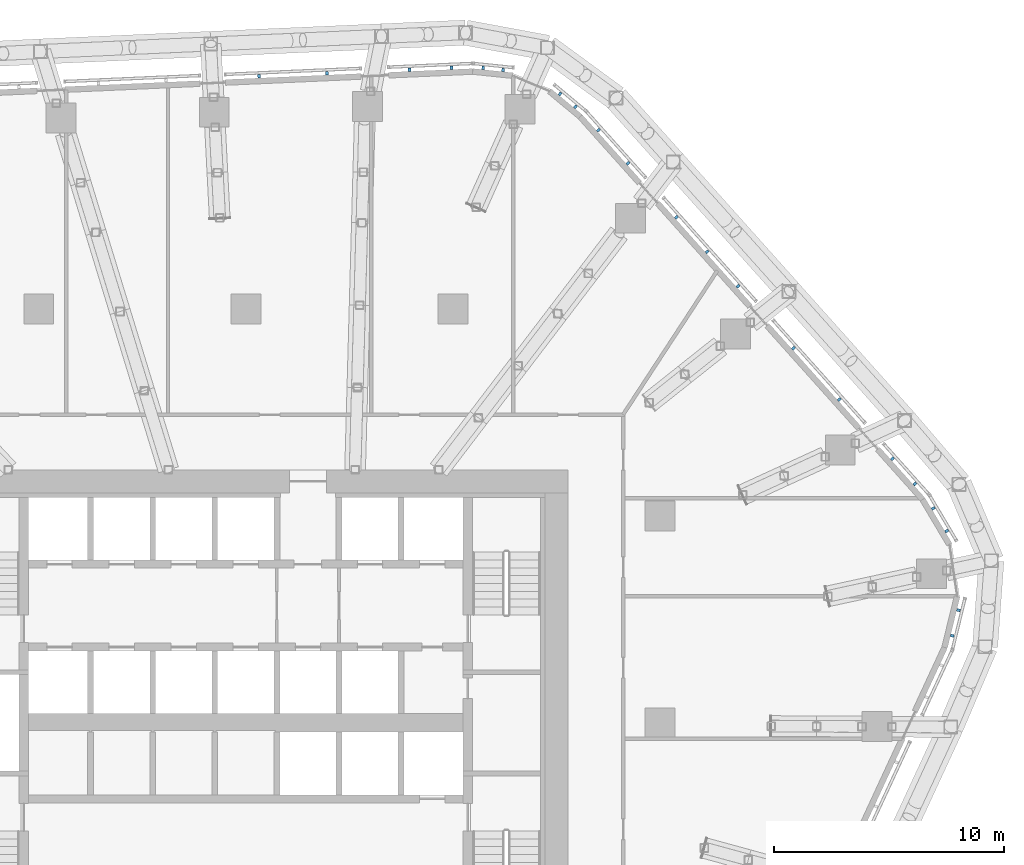
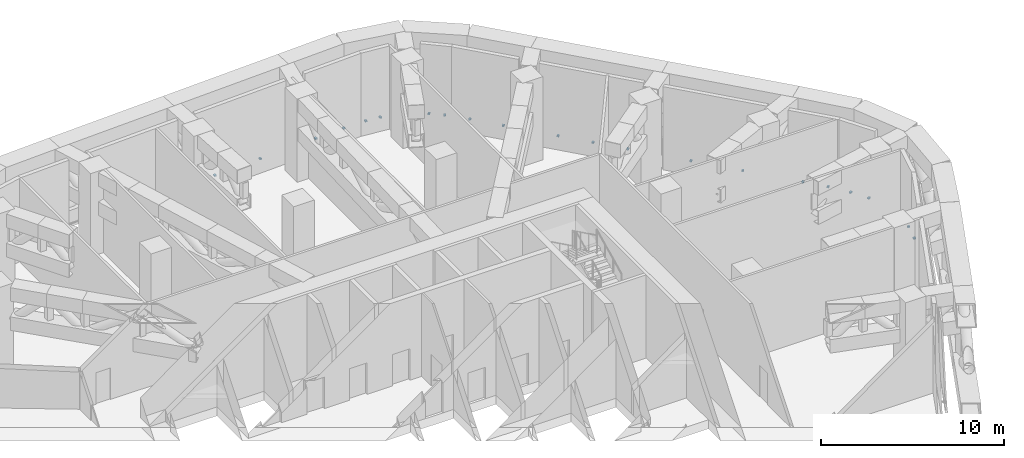
# One storey, part 24 of 30: 21 discrete accessories, 4 elements without a shape of their own.
"""IFC4 building model written with IfcOpenShell, lengths in metres."""

from ifc_helpers import new_model, si_unit, direction, frame, origin, origin_2d, place, context, subcontext, project, spatial, rectangle, extrude, material, layer, layer_set, type_object, element, aggregate, save


model = new_model("IFC4")

# Units and contexts
model_context = context("Model", 3, precision=1e-05, world=origin(), true_north=direction((0.0, 1.0)))
body_context = subcontext(model_context, "Body", "Model", "MODEL_VIEW")
ifc_project = project(units=[si_unit("LENGTHUNIT", "METRE"), si_unit("AREAUNIT", "SQUARE_METRE"), si_unit("VOLUMEUNIT", "CUBIC_METRE"), si_unit("PLANEANGLEUNIT", "RADIAN"), si_unit("MASSUNIT", "GRAM", prefix="KILO")], contexts=[model_context])

# Site, building, storey
site_placement = place(None, origin())
site = spatial("IfcSite", under=ifc_project, at=site_placement, CompositionType="ELEMENT")
building_placement = place(site_placement, origin())
building = spatial("IfcBuilding", under=site, at=building_placement, Name="Dongbaek Canopy Tower", CompositionType="ELEMENT")
storey_placement = place(building_placement, frame((0.0, 0.0, 145.60009765625)))
storey = spatial("IfcBuildingStorey", under=building, at=storey_placement, Name="L32", CompositionType="ELEMENT", Elevation=145.60009765625)

# Curtain wall, discrete accessories
ifc_material_1 = material(Name="Aluminium 6063-T6 pale anodised", Category="aluminium")
ifc_layer = layer(ifc_material_1, 0.14990234375)
ifc_layer_set = layer_set([ifc_layer], Name="CW-7 louvre curtain wall")
curtain_wall_type = type_object("IfcCurtainWallType", Name="CW-7 louvre curtain wall", PredefinedType="NOTDEFINED", material=ifc_layer_set)
curtain_wall_1_placement = place(storey_placement, origin())
curtain_wall_1 = element("IfcCurtainWall", 1, at=curtain_wall_1_placement, inside=storey, type_object=curtain_wall_type, Name="CW-7 louvre wall L32 K0", PredefinedType="NOTDEFINED")
ifc_material_2 = material(Name="Galvanised steel S355 bracket", Category="steel")
discrete_accessory_type = type_object("IfcDiscreteAccessoryType", Name="Louvre bracket BR1", PredefinedType="BRACKET", material=ifc_material_2)
discrete_accessory_1_placement = place(storey_placement, frame((30.708251953125, 3.7890625, 0.664794921875), z_axis=(0.0, 0.0, 1.0), x_axis=(0.237585371105, 0.971366661687, 0.0)))
discrete_accessory_1 = element("IfcDiscreteAccessory", 2, at=discrete_accessory_1_placement, type_object=discrete_accessory_type, Name="Louvre bracket L32 K0.1.1", PredefinedType="BRACKET", context=body_context, shape_type="SweptSolid", body=[
    extrude(rectangle(XDim=0.1201171875, YDim=0.14990234375, at=origin_2d()), origin(), (0.0, 0.0, 1.0), 0.10009765625),
])
discrete_accessory_2_placement = place(storey_placement, frame((30.9794921875, 4.898193359375, 0.664794921875), z_axis=(0.0, 0.0, 1.0), x_axis=(0.237585371105, 0.971366661687, 0.0)))
discrete_accessory_2 = element("IfcDiscreteAccessory", 3, at=discrete_accessory_2_placement, type_object=discrete_accessory_type, Name="Louvre bracket L32 K0.1.2", PredefinedType="BRACKET", context=body_context, shape_type="SweptSolid", body=[
    extrude(rectangle(XDim=0.1201171875, YDim=0.14990234375, at=origin_2d()), origin(), (0.0, 0.0, 1.0), 0.10009765625),
])
discrete_accessory_3_placement = place(storey_placement, frame((30.46630859375, 8.341552734375, 0.664794921875), z_axis=(0.0, 0.0, 1.0), x_axis=(-0.510580070547, 0.859830210891, 0.0)))
discrete_accessory_3 = element("IfcDiscreteAccessory", 4, at=discrete_accessory_3_placement, type_object=discrete_accessory_type, Name="Louvre bracket L32 K0.2.1", PredefinedType="BRACKET", context=body_context, shape_type="SweptSolid", body=[
    extrude(rectangle(XDim=0.1201171875, YDim=0.14990234375, at=origin_2d()), origin(), (0.0, 0.0, 1.0), 0.10009765625),
])
discrete_accessory_4_placement = place(storey_placement, frame((29.88330078125, 9.3232421875, 0.664794921875), z_axis=(0.0, 0.0, 1.0), x_axis=(-0.510580070547, 0.859830210891, 0.0)))
discrete_accessory_4 = element("IfcDiscreteAccessory", 5, at=discrete_accessory_4_placement, type_object=discrete_accessory_type, Name="Louvre bracket L32 K0.2.2", PredefinedType="BRACKET", context=body_context, shape_type="SweptSolid", body=[
    extrude(rectangle(XDim=0.1201171875, YDim=0.14990234375, at=origin_2d()), origin(), (0.0, 0.0, 1.0), 0.10009765625),
])
aggregate(curtain_wall_1, [discrete_accessory_1, discrete_accessory_2, discrete_accessory_3, discrete_accessory_4])

curtain_wall_2_placement = place(storey_placement, origin())
curtain_wall_2 = element("IfcCurtainWall", 6, at=curtain_wall_2_placement, inside=storey, type_object=curtain_wall_type, Name="CW-7 louvre wall L32 F0", PredefinedType="NOTDEFINED")
discrete_accessory_5_placement = place(storey_placement, frame((29.081298828125, 10.390380859375, 0.664794921875), z_axis=(0.0, 0.0, 1.0), x_axis=(-0.666716064964, 0.745311806373, 0.0)))
discrete_accessory_5 = element("IfcDiscreteAccessory", 7, at=discrete_accessory_5_placement, type_object=discrete_accessory_type, Name="Louvre bracket L32 F0.1.1", PredefinedType="BRACKET", context=body_context, shape_type="SweptSolid", body=[
    extrude(rectangle(XDim=0.1201171875, YDim=0.14990234375, at=origin_2d()), origin(), (0.0, 0.0, 1.0), 0.10009765625),
])
discrete_accessory_6_placement = place(storey_placement, frame((28.105712890625, 11.48095703125, 0.664794921875), z_axis=(0.0, 0.0, 1.0), x_axis=(-0.666716064964, 0.745311806373, 0.0)))
discrete_accessory_6 = element("IfcDiscreteAccessory", 8, at=discrete_accessory_6_placement, type_object=discrete_accessory_type, Name="Louvre bracket L32 F0.1.2", PredefinedType="BRACKET", context=body_context, shape_type="SweptSolid", body=[
    extrude(rectangle(XDim=0.1201171875, YDim=0.14990234375, at=origin_2d()), origin(), (0.0, 0.0, 1.0), 0.10009765625),
])
discrete_accessory_7_placement = place(storey_placement, frame((25.80126953125, 14.05712890625, 0.664794921875), z_axis=(0.0, 0.0, 1.0), x_axis=(-0.666716064964, 0.745311806373, 0.0)))
discrete_accessory_7 = element("IfcDiscreteAccessory", 9, at=discrete_accessory_7_placement, type_object=discrete_accessory_type, Name="Louvre bracket L32 F0.2.1", PredefinedType="BRACKET", context=body_context, shape_type="SweptSolid", body=[
    extrude(rectangle(XDim=0.1201171875, YDim=0.14990234375, at=origin_2d()), origin(), (0.0, 0.0, 1.0), 0.10009765625),
])
discrete_accessory_8_placement = place(storey_placement, frame((23.80908203125, 16.2841796875, 0.664794921875), z_axis=(0.0, 0.0, 1.0), x_axis=(-0.666716064964, 0.745311806373, 0.0)))
discrete_accessory_8 = element("IfcDiscreteAccessory", 10, at=discrete_accessory_8_placement, type_object=discrete_accessory_type, Name="Louvre bracket L32 F0.2.2", PredefinedType="BRACKET", context=body_context, shape_type="SweptSolid", body=[
    extrude(rectangle(XDim=0.1201171875, YDim=0.14990234375, at=origin_2d()), origin(), (0.0, 0.0, 1.0), 0.10009765625),
])
discrete_accessory_9_placement = place(storey_placement, frame((21.393798828125, 18.984130859375, 0.664794921875), z_axis=(0.0, 0.0, 1.0), x_axis=(-0.666716064964, 0.745311806373, 0.0)))
discrete_accessory_9 = element("IfcDiscreteAccessory", 11, at=discrete_accessory_9_placement, type_object=discrete_accessory_type, Name="Louvre bracket L32 F0.3.1", PredefinedType="BRACKET", context=body_context, shape_type="SweptSolid", body=[
    extrude(rectangle(XDim=0.1201171875, YDim=0.14990234375, at=origin_2d()), origin(), (0.0, 0.0, 1.0), 0.10009765625),
])
discrete_accessory_10_placement = place(storey_placement, frame((20.054931640625, 20.480712890625, 0.664794921875), z_axis=(0.0, 0.0, 1.0), x_axis=(-0.666716064964, 0.745311806373, 0.0)))
discrete_accessory_10 = element("IfcDiscreteAccessory", 12, at=discrete_accessory_10_placement, type_object=discrete_accessory_type, Name="Louvre bracket L32 F0.3.2", PredefinedType="BRACKET", context=body_context, shape_type="SweptSolid", body=[
    extrude(rectangle(XDim=0.1201171875, YDim=0.14990234375, at=origin_2d()), origin(), (0.0, 0.0, 1.0), 0.10009765625),
])
discrete_accessory_11_placement = place(storey_placement, frame((18.71630859375, 21.977294921875, 0.664794921875), z_axis=(0.0, 0.0, 1.0), x_axis=(-0.666716064964, 0.745311806373, 0.0)))
discrete_accessory_11 = element("IfcDiscreteAccessory", 13, at=discrete_accessory_11_placement, type_object=discrete_accessory_type, Name="Louvre bracket L32 F0.3.3", PredefinedType="BRACKET", context=body_context, shape_type="SweptSolid", body=[
    extrude(rectangle(XDim=0.1201171875, YDim=0.14990234375, at=origin_2d()), origin(), (0.0, 0.0, 1.0), 0.10009765625),
])
discrete_accessory_12_placement = place(storey_placement, frame((16.615478515625, 24.325927734375, 0.664794921875), z_axis=(0.0, 0.0, 1.0), x_axis=(-0.666716064964, 0.745311806373, 0.0)))
discrete_accessory_12 = element("IfcDiscreteAccessory", 14, at=discrete_accessory_12_placement, type_object=discrete_accessory_type, Name="Louvre bracket L32 F0.4.1", PredefinedType="BRACKET", context=body_context, shape_type="SweptSolid", body=[
    extrude(rectangle(XDim=0.1201171875, YDim=0.14990234375, at=origin_2d()), origin(), (0.0, 0.0, 1.0), 0.10009765625),
])
discrete_accessory_13_placement = place(storey_placement, frame((15.327880859375, 25.76513671875, 0.664794921875), z_axis=(0.0, 0.0, 1.0), x_axis=(-0.666716064964, 0.745311806373, 0.0)))
discrete_accessory_13 = element("IfcDiscreteAccessory", 15, at=discrete_accessory_13_placement, type_object=discrete_accessory_type, Name="Louvre bracket L32 F0.4.2", PredefinedType="BRACKET", context=body_context, shape_type="SweptSolid", body=[
    extrude(rectangle(XDim=0.1201171875, YDim=0.14990234375, at=origin_2d()), origin(), (0.0, 0.0, 1.0), 0.10009765625),
])
aggregate(curtain_wall_2, [discrete_accessory_5, discrete_accessory_6, discrete_accessory_7, discrete_accessory_8, discrete_accessory_9, discrete_accessory_10, discrete_accessory_11, discrete_accessory_12, discrete_accessory_13])

curtain_wall_3_placement = place(storey_placement, origin())
curtain_wall_3 = element("IfcCurtainWall", 16, at=curtain_wall_3_placement, inside=storey, type_object=curtain_wall_type, Name="CW-7 louvre wall L32 K1", PredefinedType="NOTDEFINED")
discrete_accessory_14_placement = place(storey_placement, frame((14.328125, 26.783447265625, 0.664794921875), z_axis=(0.0, 0.0, 1.0), x_axis=(-0.769052031446, 0.639186180176, 0.0)))
discrete_accessory_14 = element("IfcDiscreteAccessory", 17, at=discrete_accessory_14_placement, type_object=discrete_accessory_type, Name="Louvre bracket L32 K1.1.1", PredefinedType="BRACKET", context=body_context, shape_type="SweptSolid", body=[
    extrude(rectangle(XDim=0.1201171875, YDim=0.14990234375, at=origin_2d()), origin(), (0.0, 0.0, 1.0), 0.10009765625),
])
discrete_accessory_15_placement = place(storey_placement, frame((13.658203125, 27.34033203125, 0.664794921875), z_axis=(0.0, 0.0, 1.0), x_axis=(-0.769052031446, 0.639186180176, 0.0)))
discrete_accessory_15 = element("IfcDiscreteAccessory", 18, at=discrete_accessory_15_placement, type_object=discrete_accessory_type, Name="Louvre bracket L32 K1.1.2", PredefinedType="BRACKET", context=body_context, shape_type="SweptSolid", body=[
    extrude(rectangle(XDim=0.1201171875, YDim=0.14990234375, at=origin_2d()), origin(), (0.0, 0.0, 1.0), 0.10009765625),
])
discrete_accessory_16_placement = place(storey_placement, frame((11.18408203125, 28.38134765625, 0.664794921875), z_axis=(0.0, 0.0, 1.0), x_axis=(-0.99468080304, 0.103005339972, 0.0)))
discrete_accessory_16 = element("IfcDiscreteAccessory", 19, at=discrete_accessory_16_placement, type_object=discrete_accessory_type, Name="Louvre bracket L32 K1.2.1", PredefinedType="BRACKET", context=body_context, shape_type="SweptSolid", body=[
    extrude(rectangle(XDim=0.1201171875, YDim=0.14990234375, at=origin_2d()), origin(), (0.0, 0.0, 1.0), 0.10009765625),
])
discrete_accessory_17_placement = place(storey_placement, frame((10.317626953125, 28.47119140625, 0.664794921875), z_axis=(0.0, 0.0, 1.0), x_axis=(-0.99468080304, 0.103005339972, 0.0)))
discrete_accessory_17 = element("IfcDiscreteAccessory", 20, at=discrete_accessory_17_placement, type_object=discrete_accessory_type, Name="Louvre bracket L32 K1.2.2", PredefinedType="BRACKET", context=body_context, shape_type="SweptSolid", body=[
    extrude(rectangle(XDim=0.1201171875, YDim=0.14990234375, at=origin_2d()), origin(), (0.0, 0.0, 1.0), 0.10009765625),
])
aggregate(curtain_wall_3, [discrete_accessory_14, discrete_accessory_15, discrete_accessory_16, discrete_accessory_17])

curtain_wall_4_placement = place(storey_placement, origin())
curtain_wall_4 = element("IfcCurtainWall", 21, at=curtain_wall_4_placement, inside=storey, type_object=curtain_wall_type, Name="CW-7 louvre wall L32 F1", PredefinedType="NOTDEFINED")
discrete_accessory_18_placement = place(storey_placement, frame((8.941650390625, 28.476318359375, 0.664794921875), z_axis=(0.0, 0.0, 1.0), x_axis=(-0.999015616031, -0.044359879696, 0.0)))
discrete_accessory_18 = element("IfcDiscreteAccessory", 22, at=discrete_accessory_18_placement, type_object=discrete_accessory_type, Name="Louvre bracket L32 F1.1.1", PredefinedType="BRACKET", context=body_context, shape_type="SweptSolid", body=[
    extrude(rectangle(XDim=0.1201171875, YDim=0.14990234375, at=origin_2d()), origin(), (0.0, 0.0, 1.0), 0.10009765625),
])
discrete_accessory_19_placement = place(storey_placement, frame((7.114990234375, 28.395263671875, 0.664794921875), z_axis=(0.0, 0.0, 1.0), x_axis=(-0.999015616031, -0.044359879696, 0.0)))
discrete_accessory_19 = element("IfcDiscreteAccessory", 23, at=discrete_accessory_19_placement, type_object=discrete_accessory_type, Name="Louvre bracket L32 F1.1.2", PredefinedType="BRACKET", context=body_context, shape_type="SweptSolid", body=[
    extrude(rectangle(XDim=0.1201171875, YDim=0.14990234375, at=origin_2d()), origin(), (0.0, 0.0, 1.0), 0.10009765625),
])
discrete_accessory_20_placement = place(storey_placement, frame((3.52490234375, 28.23583984375, 0.664794921875), z_axis=(0.0, 0.0, 1.0), x_axis=(-0.999015616031, -0.044359879696, 0.0)))
discrete_accessory_20 = element("IfcDiscreteAccessory", 24, at=discrete_accessory_20_placement, type_object=discrete_accessory_type, Name="Louvre bracket L32 F1.2.1", PredefinedType="BRACKET", context=body_context, shape_type="SweptSolid", body=[
    extrude(rectangle(XDim=0.1201171875, YDim=0.14990234375, at=origin_2d()), origin(), (0.0, 0.0, 1.0), 0.10009765625),
])
discrete_accessory_21_placement = place(storey_placement, frame((0.57666015625, 28.10498046875, 0.664794921875), z_axis=(0.0, 0.0, 1.0), x_axis=(-0.999015616031, -0.044359879696, 0.0)))
discrete_accessory_21 = element("IfcDiscreteAccessory", 25, at=discrete_accessory_21_placement, type_object=discrete_accessory_type, Name="Louvre bracket L32 F1.2.2", PredefinedType="BRACKET", context=body_context, shape_type="SweptSolid", body=[
    extrude(rectangle(XDim=0.1201171875, YDim=0.14990234375, at=origin_2d()), origin(), (0.0, 0.0, 1.0), 0.10009765625),
])
aggregate(curtain_wall_4, [discrete_accessory_18, discrete_accessory_19, discrete_accessory_20, discrete_accessory_21])

save(model, "model.ifc")
